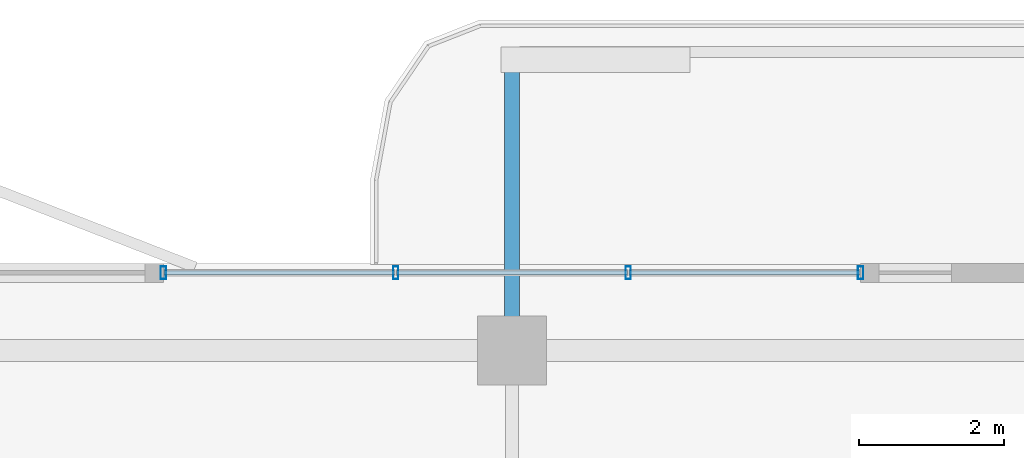
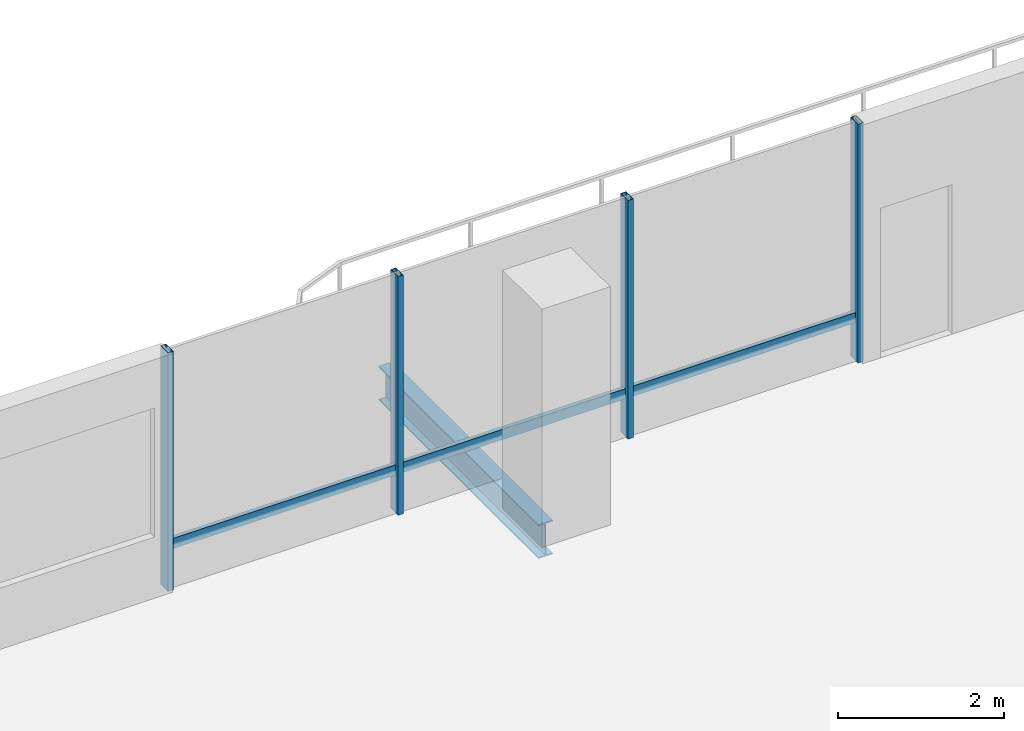
# One storey, part 10 of 17: 7 members, 1 beam, 1 element without a shape of its own.
"""IFC4 building model written with IfcOpenShell, lengths in metres."""

from ifc_helpers import new_model, si_unit, direction, frame, origin, origin_2d, place, context, subcontext, project, spatial, hollow_rectangle, i_section, extrude, material, layer, layer_set, material_profile, profile_set, type_object, element, aggregate, save


model = new_model("IFC4")

# Units and contexts
model_context = context("Model", 3, precision=1e-05, world=origin(), true_north=direction((0.0, 1.0)))
body_context = subcontext(model_context, "Body", "Model", "MODEL_VIEW")
ifc_project = project(units=[si_unit("LENGTHUNIT", "METRE"), si_unit("AREAUNIT", "SQUARE_METRE"), si_unit("VOLUMEUNIT", "CUBIC_METRE"), si_unit("PLANEANGLEUNIT", "RADIAN"), si_unit("MASSUNIT", "GRAM", prefix="KILO")], contexts=[model_context])

# Site, building, storey
site_placement = place(None, origin())
site = spatial("IfcSite", under=ifc_project, at=site_placement, CompositionType="ELEMENT")
building_placement = place(site_placement, origin())
building = spatial("IfcBuilding", under=site, at=building_placement, Name="Belovzor Exchange Tower", CompositionType="ELEMENT")
storey_placement = place(building_placement, frame((0.0, 0.0, 325.5)))
storey = spatial("IfcBuildingStorey", under=building, at=storey_placement, Name="L81", CompositionType="ELEMENT", Elevation=325.5)

# Beam
ifc_material_1 = material(Name="Steel S355", Category="steel")
ifc_material_profile_1 = material_profile(ifc_material_1, i_section(OverallWidth=0.199951171875, OverallDepth=0.5, WebThickness=0.01025390625, FlangeThickness=0.01611328125, at=origin_2d()))
ifc_profile_set_1 = profile_set([ifc_material_profile_1], Name="Steel S355")
beam_type = type_object("IfcBeamType", Name="Planted Balcony Cantilever Beam IPE 500", PredefinedType="BEAM", material=ifc_profile_set_1)
beam_placement = place(storey_placement, frame((28.800048828125, 50.660888671875, -0.489990234375), z_axis=(0.0, 1.0, 0.0), x_axis=(-1.0, 0.0, 0.0)))
element("IfcBeam", 1, at=beam_placement, inside=storey, type_object=beam_type, Name="BC-500 Planted Balcony Cantilever Beam IPE 500", PredefinedType="BEAM", context=body_context, shape_type="SweptSolid", body=[
    extrude(i_section(OverallWidth=0.199951171875, OverallDepth=0.5, WebThickness=0.01025390625, FlangeThickness=0.01611328125, at=origin_2d()), origin(), (0.0, 0.0, 1.0), 3.85009765625),
])

# Curtain wall, members
ifc_material_2 = material(Name="Anodised Aluminium Framing", Category="aluminium")
ifc_layer = layer(ifc_material_2, 0.179931640625)
ifc_layer_set = layer_set([ifc_layer], Name="Anodised Aluminium Framing")
curtain_wall_type = type_object("IfcCurtainWallType", Name="Recessed Loggia Low-Iron Triple-Glazed Curtain Wall", PredefinedType="NOTDEFINED", material=ifc_layer_set)
curtain_wall_placement = place(storey_placement, origin())
curtain_wall = element("IfcCurtainWall", 2, at=curtain_wall_placement, inside=storey, type_object=curtain_wall_type, Name="CW3 Recessed Loggia Low-Iron Triple-Glazed Curtain Wall L81", PredefinedType="NOTDEFINED")
ifc_material_3 = material(Name="Steel S355", Category="steel")
ifc_material_profile_2 = material_profile(ifc_material_3, hollow_rectangle(XDim=0.074951171875, YDim=0.179931640625, WallThickness=0.0048828125, at=origin_2d()))
ifc_profile_set_2 = profile_set([ifc_material_profile_2], Name="Steel S355")
member_type_1 = type_object("IfcMemberType", Name="Thermally Broken Curtain Wall Mullion 180x75", PredefinedType="MULLION", material=ifc_profile_set_2)
member_1_placement = place(storey_placement, frame((24.0, 51.469970703125, 0.0), z_axis=(0.0, 0.0, 1.0), x_axis=(1.0, 0.0, 0.0)))
member_1 = element("IfcMember", 3, at=member_1_placement, type_object=member_type_1, Name="CW-M180 Curtain Wall Mullion 1", PredefinedType="MULLION", context=body_context, shape_type="SweptSolid", body=[
    extrude(hollow_rectangle(XDim=0.074951171875, YDim=0.179931640625, WallThickness=0.0048828125, at=origin_2d()), origin(), (0.0, 0.0, 1.0), 3.510009765625),
])
member_2_placement = place(storey_placement, frame((27.199951171875, 51.469970703125, 0.0), z_axis=(0.0, 0.0, 1.0), x_axis=(1.0, 0.0, 0.0)))
member_2 = element("IfcMember", 4, at=member_2_placement, type_object=member_type_1, Name="CW-M180 Curtain Wall Mullion 2", PredefinedType="MULLION", context=body_context, shape_type="SweptSolid", body=[
    extrude(hollow_rectangle(XDim=0.074951171875, YDim=0.179931640625, WallThickness=0.0048828125, at=origin_2d()), origin(), (0.0, 0.0, 1.0), 3.510009765625),
])
member_3_placement = place(storey_placement, frame((30.39990234375, 51.469970703125, 0.0), z_axis=(0.0, 0.0, 1.0), x_axis=(1.0, 0.0, 0.0)))
member_3 = element("IfcMember", 5, at=member_3_placement, type_object=member_type_1, Name="CW-M180 Curtain Wall Mullion 3", PredefinedType="MULLION", context=body_context, shape_type="SweptSolid", body=[
    extrude(hollow_rectangle(XDim=0.074951171875, YDim=0.179931640625, WallThickness=0.0048828125, at=origin_2d()), origin(), (0.0, 0.0, 1.0), 3.510009765625),
])
member_4_placement = place(storey_placement, frame((33.60009765625, 51.469970703125, 0.0), z_axis=(0.0, 0.0, 1.0), x_axis=(1.0, 0.0, 0.0)))
member_4 = element("IfcMember", 6, at=member_4_placement, type_object=member_type_1, Name="CW-M180 Curtain Wall Mullion 4", PredefinedType="MULLION", context=body_context, shape_type="SweptSolid", body=[
    extrude(hollow_rectangle(XDim=0.074951171875, YDim=0.179931640625, WallThickness=0.0048828125, at=origin_2d()), origin(), (0.0, 0.0, 1.0), 3.510009765625),
])
ifc_material_4 = material(Name="Steel S355", Category="steel")
ifc_material_profile_3 = material_profile(ifc_material_4, hollow_rectangle(XDim=0.06005859375, YDim=0.14990234375, WallThickness=0.00390625, at=origin_2d()))
ifc_profile_set_3 = profile_set([ifc_material_profile_3], Name="Steel S355")
member_type_2 = type_object("IfcMemberType", Name="Thermally Broken Curtain Wall Transom 150x60", PredefinedType="USERDEFINED", material=ifc_profile_set_3)
member_5_placement = place(storey_placement, frame((24.008056640625, 51.469970703125, 0.632080078125), z_axis=(1.0, 0.0, 0.0), x_axis=(0.0, 1.0, 0.0)))
member_5 = element("IfcMember", 7, at=member_5_placement, type_object=member_type_2, Name="CW-T150 Curtain Wall Transom 1", ObjectType="TRANSOM", PredefinedType="USERDEFINED", context=body_context, shape_type="SweptSolid", body=[
    extrude(hollow_rectangle(XDim=0.06005859375, YDim=0.14990234375, WallThickness=0.00390625, at=origin_2d()), origin(), (0.0, 0.0, 1.0), 3.183837890625),
])
member_6_placement = place(storey_placement, frame((27.2080078125, 51.469970703125, 0.632080078125), z_axis=(1.0, 0.0, 0.0), x_axis=(0.0, 1.0, 0.0)))
member_6 = element("IfcMember", 8, at=member_6_placement, type_object=member_type_2, Name="CW-T150 Curtain Wall Transom 2", ObjectType="TRANSOM", PredefinedType="USERDEFINED", context=body_context, shape_type="SweptSolid", body=[
    extrude(hollow_rectangle(XDim=0.06005859375, YDim=0.14990234375, WallThickness=0.00390625, at=origin_2d()), origin(), (0.0, 0.0, 1.0), 3.18408203125),
])
member_7_placement = place(storey_placement, frame((30.407958984375, 51.469970703125, 0.632080078125), z_axis=(1.0, 0.0, 0.0), x_axis=(0.0, 1.0, 0.0)))
member_7 = element("IfcMember", 9, at=member_7_placement, type_object=member_type_2, Name="CW-T150 Curtain Wall Transom 3", ObjectType="TRANSOM", PredefinedType="USERDEFINED", context=body_context, shape_type="SweptSolid", body=[
    extrude(hollow_rectangle(XDim=0.06005859375, YDim=0.14990234375, WallThickness=0.00390625, at=origin_2d()), origin(), (0.0, 0.0, 1.0), 3.18408203125),
])
aggregate(curtain_wall, [member_1, member_2, member_3, member_4, member_5, member_6, member_7])

save(model, "model.ifc")
